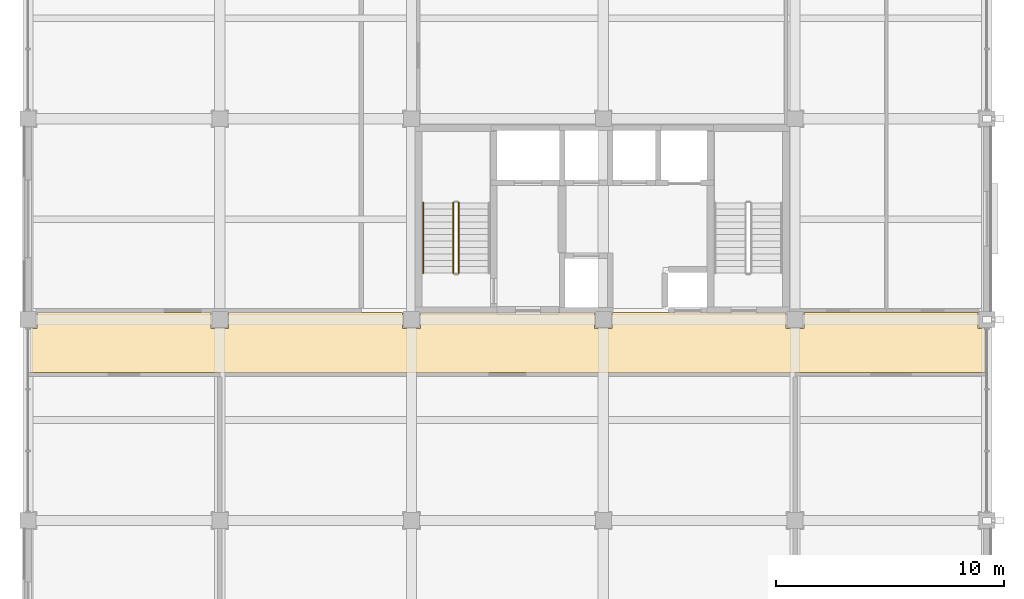
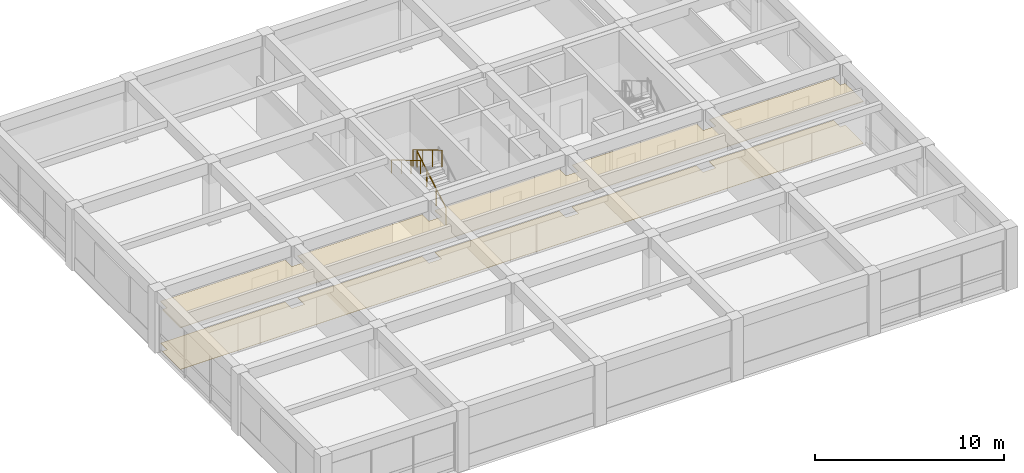
# One storey, part 12 of 14: 3 railings, 2 coverings.
"""IFC4 building model written with IfcOpenShell, lengths in metres."""

import ifcopenshell
import ifcopenshell.guid

model = None  # the IFC model being written
_history = None  # IfcOwnerHistory: only IFC2X3 demands one
_inside = {}  # id of a spatial element -> (the spatial element, [elements in it])
_under = {}  # id of a project, library or spatial element -> (it, [spatial elements below it])
_declared = {}  # id of a project -> (the project, [libraries it declares])
_typed = {}  # id of a type object -> (the type object, [elements of that type])
_made_of = {}  # id of a material, layer set ... -> (it, [elements and type objects made of it])


def new_model(schema):
    """Start an empty IFC model of exactly this schema.

    Asked for "IFC4X3", IfcOpenShell would pick the latest addendum, in which some entities
    have other attributes; the version numbers below select the first issue.
    IFC2X3 requires an IfcOwnerHistory on every rooted entity: one is made here for all.
    """
    global model, _history
    if schema == "IFC4X3":
        model = ifcopenshell.file(schema_version=(4, 3, 0, 0))
    else:
        model = ifcopenshell.file(schema=schema)
    _inside.clear()
    _under.clear()
    _declared.clear()
    _typed.clear()
    _made_of.clear()
    _history = None
    if model.schema == "IFC2X3":
        org = make("IfcOrganization", Name="unknown")
        user = make(
            "IfcPersonAndOrganization",
            ThePerson=make("IfcPerson", FamilyName="unknown"),
            TheOrganization=org,
        )
        app = make(
            "IfcApplication",
            ApplicationDeveloper=org,
            Version="unknown",
            ApplicationFullName="unknown",
            ApplicationIdentifier="unknown",
        )
        _history = make(
            "IfcOwnerHistory",
            OwningUser=user,
            OwningApplication=app,
            ChangeAction="ADDED",
            CreationDate=0,
        )
    return model


def make(cls, **values):
    """One entity of the class cls with the attributes given. An attribute that is None is left unset."""
    return model.create_entity(
        cls, **{name: value for name, value in values.items() if value is not None}
    )


def rooted(cls, **values):
    """An entity with a GlobalId (a new one), such as an element, a storey or a relation."""
    return make(cls, GlobalId=ifcopenshell.guid.new(), OwnerHistory=_history, **values)


def si_unit(unit_type, name, prefix=None):
    """IfcSIUnit, for example si_unit("LENGTHUNIT", "METRE", prefix="MILLI")."""
    return make("IfcSIUnit", UnitType=unit_type, Prefix=prefix, Name=name)


def assignment(units):
    """IfcUnitAssignment: the units of a project."""
    return None if units is None else make("IfcUnitAssignment", Units=units)


def point(xyz):
    """IfcCartesianPoint."""
    return None if xyz is None else make("IfcCartesianPoint", Coordinates=xyz)


def direction(xyz):
    """IfcDirection."""
    return None if xyz is None else make("IfcDirection", DirectionRatios=xyz)


def frame(location, z_axis=None, x_axis=None):
    """IfcAxis2Placement3D, a coordinate frame: its origin and axes. An axis left out is left unset."""
    return make(
        "IfcAxis2Placement3D",
        Location=point(location),
        Axis=direction(z_axis),
        RefDirection=direction(x_axis),
    )


def frame_2d(location, x_axis=None):
    """IfcAxis2Placement2D, a coordinate frame in the plane: its origin and x axis."""
    return make(
        "IfcAxis2Placement2D", Location=point(location), RefDirection=direction(x_axis)
    )


def origin():
    """The frame at (0, 0, 0) with its axes left unset."""
    return frame((0.0, 0.0, 0.0))


def origin_2d():
    """The frame at (0, 0) in the plane with its x axis left unset."""
    return frame_2d((0.0, 0.0))


def place(relative_to, where):
    """IfcLocalPlacement: puts the frame where relative to a parent placement (None: the world)."""
    return make(
        "IfcLocalPlacement", PlacementRelTo=relative_to, RelativePlacement=where
    )


def context(
    kind, dimensions, precision=None, world=None, true_north=None, identifier=None
):
    """IfcGeometricRepresentationContext, for example the 3D "Model" context."""
    return make(
        "IfcGeometricRepresentationContext",
        ContextIdentifier=identifier,
        ContextType=kind,
        CoordinateSpaceDimension=dimensions,
        Precision=precision,
        WorldCoordinateSystem=world,
        TrueNorth=true_north,
    )


def subcontext(parent, identifier, kind, view, scale=None):
    """IfcGeometricRepresentationSubContext, for example "Body" below "Model"."""
    return make(
        "IfcGeometricRepresentationSubContext",
        ContextIdentifier=identifier,
        ContextType=kind,
        ParentContext=parent,
        TargetScale=scale,
        TargetView=view,
    )


def project(units=None, contexts=None):
    """IfcProject with its units and contexts."""
    return rooted(
        "IfcProject",
        Name="project",
        RepresentationContexts=contexts,
        UnitsInContext=assignment(units),
    )


def spatial(cls, under=None, at=None, **own):
    """A site, building, storey or space (cls), placed at a placement, below another one or the project."""
    s = rooted(cls, ObjectPlacement=at, **own)
    if under is not None:
        _under.setdefault(under.id(), (under, []))[1].append(s)
    return s


def polyline(points):
    """IfcPolyline through the points."""
    return make("IfcPolyline", Points=[point(p) for p in points])


def profile(cls, at=None, kind="AREA", **sizes):
    """A parametric profile (cls). Its sizes go by their IFC names, for example OverallWidth=200.0."""
    return make(cls, ProfileType=kind, Position=at, **sizes)


def circle(**sizes):
    """IfcCircleProfileDef."""
    return profile("IfcCircleProfileDef", **sizes)


def outline(outer, holes=None, kind="AREA"):
    """IfcArbitraryClosedProfileDef: a profile drawn as a closed curve; with holes, ...WithVoids."""
    if holes is None:
        return make("IfcArbitraryClosedProfileDef", ProfileType=kind, OuterCurve=outer)
    return make(
        "IfcArbitraryProfileDefWithVoids",
        ProfileType=kind,
        OuterCurve=outer,
        InnerCurves=holes,
    )


def extrude(swept, where, along, depth):
    """IfcExtrudedAreaSolid: the profile swept, set in the frame where, extruded along a direction by depth."""
    return make(
        "IfcExtrudedAreaSolid",
        SweptArea=swept,
        Position=where,
        ExtrudedDirection=direction(along),
        Depth=depth,
    )


def shape(context_of_items, identifier, shape_type, items):
    """IfcShapeRepresentation: the items that make up one representation, for example the "Body"."""
    return make(
        "IfcShapeRepresentation",
        ContextOfItems=context_of_items,
        RepresentationIdentifier=identifier,
        RepresentationType=shape_type,
        Items=items,
    )


def material(Name=None, Category=None):
    """IfcMaterial."""
    return make("IfcMaterial", Name=Name, Category=Category)


def layer(
    of_material, thickness, ventilated=None, Name=None, Category=None, Priority=None
):
    """IfcMaterialLayer: one layer of a wall or slab, of a material (None: an air gap)."""
    return make(
        "IfcMaterialLayer",
        Material=of_material,
        LayerThickness=thickness,
        IsVentilated=ventilated,
        Name=Name,
        Category=Category,
        Priority=Priority,
    )


def layer_set(layers, Name=None):
    """IfcMaterialLayerSet."""
    return make("IfcMaterialLayerSet", MaterialLayers=layers, LayerSetName=Name)


def made_of(thing, what):
    """Note that an element or type object is made of a material, layer set ...; save() writes the relation."""
    if what is not None:
        _made_of.setdefault(what.id(), (what, []))[1].append(thing)
    return thing


def type_object(cls, material=None, **own):
    """A type object (cls), such as IfcWallType, which elements share."""
    return made_of(rooted(cls, **own), material)


def element(
    cls,
    number,
    at=None,
    inside=None,
    cuts=None,
    type_object=None,
    material=None,
    context=None,
    identifier="Body",
    shape_type=None,
    held_by="IfcProductDefinitionShape",
    body=None,
    shapes=None,
    **own,
):
    """One element of the class cls, such as IfcWall. Its Tag is "e" and its number.

    at: its placement. inside: the storey or other place that contains it. cuts: it is an
    opening in that element (IfcRelVoidsElement). A single representation is given by context,
    identifier, shape_type and body (its items); several are given by shapes. held_by: the class
    of the entity that holds the representations. save() writes the other relations.
    """
    e = rooted(cls, Tag="e%d" % number, ObjectPlacement=at, **own)
    if body is not None:
        shapes = [shape(context, identifier, shape_type, body)]
    if shapes is not None:
        e.Representation = make(held_by, Representations=shapes)
    if inside is not None:
        _inside.setdefault(inside.id(), (inside, []))[1].append(e)
    if cuts is not None:
        rooted(
            "IfcRelVoidsElement", RelatingBuildingElement=cuts, RelatedOpeningElement=e
        )
    if type_object is not None:
        _typed.setdefault(type_object.id(), (type_object, []))[1].append(e)
    return made_of(e, material)


def aggregate(whole, parts):
    """IfcRelAggregates: a whole, such as a stair, and the parts it consists of."""
    return rooted("IfcRelAggregates", RelatingObject=whole, RelatedObjects=parts)


def save(model, path):
    """Write the relations noted so far, then the file.

    IfcRelAggregates (storeys below a building ...), IfcRelContainedInSpatialStructure (elements
    in a storey), IfcRelDefinesByType, IfcRelAssociatesMaterial and IfcRelDeclares: one each for
    every whole, place, type object, material and project.
    """
    for whole, parts in _under.values():
        aggregate(whole, parts)
    for where, things in _inside.values():
        rooted(
            "IfcRelContainedInSpatialStructure",
            RelatedElements=things,
            RelatingStructure=where,
        )
    for kind, things in _typed.values():
        rooted("IfcRelDefinesByType", RelatedObjects=things, RelatingType=kind)
    for what, things in _made_of.values():
        rooted("IfcRelAssociatesMaterial", RelatedObjects=things, RelatingMaterial=what)
    for by, libraries in _declared.values():
        rooted("IfcRelDeclares", RelatingContext=by, RelatedDefinitions=libraries)
    model.write(path)


model = new_model("IFC4")

# Units and contexts
model_context = context("Model", 3, precision=1e-05, world=origin(), true_north=direction((0.0, 1.0)))
body_context = subcontext(model_context, "Body", "Model", "MODEL_VIEW")
ifc_project = project(units=[si_unit("LENGTHUNIT", "METRE"), si_unit("AREAUNIT", "SQUARE_METRE"), si_unit("VOLUMEUNIT", "CUBIC_METRE"), si_unit("PLANEANGLEUNIT", "RADIAN"), si_unit("MASSUNIT", "GRAM", prefix="KILO")], contexts=[model_context])

# Site, building, storey
site_placement = place(None, origin())
site = spatial("IfcSite", under=ifc_project, at=site_placement, CompositionType="ELEMENT")
building_placement = place(site_placement, origin())
building = spatial("IfcBuilding", under=site, at=building_placement, Name="Kemercrest Conservatory and Botanical Centre", CompositionType="ELEMENT")
storey_placement = place(building_placement, frame((0.0, 0.0, 32.800048828125)))
storey = spatial("IfcBuildingStorey", under=building, at=storey_placement, Name="L08", CompositionType="ELEMENT", Elevation=32.800048828125)

# Coverings
ifc_material_1 = material(Name="Perforated acoustic gypsum and mineral-fibre suspended ceiling", Category="gypsum")
ifc_layer_1 = layer(ifc_material_1, 0.034912109375)
ifc_layer_set_1 = layer_set([ifc_layer_1], Name="Perforated acoustic gypsum and mineral-fibre suspended ceiling")
covering_type_1 = type_object("IfcCoveringType", Name="CV-CLG035", PredefinedType="CEILING", material=ifc_layer_set_1)
covering_1_placement = place(storey_placement, frame((0.0, 0.0, 2.699951171875)))
element("IfcCovering", 1, at=covering_1_placement, inside=storey, type_object=covering_type_1, Name="Herbarium Corridor suspended acoustic ceiling", PredefinedType="CEILING", context=body_context, shape_type="SweptSolid", body=[
    extrude(outline(polyline([(134.080078125, 102.47998046875), (175.919921875, 102.47998046875), (175.919921875, 104.409912109375), (175.610107421875, 104.409912109375), (175.610107421875, 105.1201171875), (167.989990234375, 105.1201171875), (167.989990234375, 104.409912109375), (167.2099609375, 104.409912109375), (167.2099609375, 105.1201171875), (159.590087890625, 105.1201171875), (159.590087890625, 104.409912109375), (158.81005859375, 104.409912109375), (158.81005859375, 105.1201171875), (151.18994140625, 105.1201171875), (151.18994140625, 104.409912109375), (150.409912109375, 104.409912109375), (150.409912109375, 105.1201171875), (142.7900390625, 105.1201171875), (142.7900390625, 104.409912109375), (142.010009765625, 104.409912109375), (142.010009765625, 105.1201171875), (134.389892578125, 105.1201171875), (134.389892578125, 104.409912109375), (134.080078125, 104.409912109375), (134.080078125, 102.47998046875)])), origin(), (0.0, 0.0, 1.0), 0.034912109375),
])
ifc_material_2 = material(Name="Polished limestone terrazzo and seamless laboratory epoxy flooring", Category="masonry")
ifc_layer_2 = layer(ifc_material_2, 0.02001953125)
ifc_layer_set_2 = layer_set([ifc_layer_2], Name="Polished limestone terrazzo and seamless laboratory epoxy flooring")
covering_type_2 = type_object("IfcCoveringType", Name="CV-FLR020", PredefinedType="FLOORING", material=ifc_layer_set_2)
covering_2_placement = place(storey_placement, origin())
element("IfcCovering", 2, at=covering_2_placement, inside=storey, type_object=covering_type_2, Name="Herbarium Corridor floor finish", PredefinedType="FLOORING", context=body_context, shape_type="SweptSolid", body=[
    extrude(outline(polyline([(134.080078125, 102.47998046875), (175.919921875, 102.47998046875), (175.919921875, 104.409912109375), (175.610107421875, 104.409912109375), (175.610107421875, 105.1201171875), (167.989990234375, 105.1201171875), (167.989990234375, 104.409912109375), (167.2099609375, 104.409912109375), (167.2099609375, 105.1201171875), (159.590087890625, 105.1201171875), (159.590087890625, 104.409912109375), (158.81005859375, 104.409912109375), (158.81005859375, 105.1201171875), (151.18994140625, 105.1201171875), (151.18994140625, 104.409912109375), (150.409912109375, 104.409912109375), (150.409912109375, 105.1201171875), (142.7900390625, 105.1201171875), (142.7900390625, 104.409912109375), (142.010009765625, 104.409912109375), (142.010009765625, 105.1201171875), (134.389892578125, 105.1201171875), (134.389892578125, 104.409912109375), (134.080078125, 104.409912109375), (134.080078125, 102.47998046875)])), origin(), (0.0, 0.0, 1.0), 0.02001953125),
])

# Railings
ifc_material_3 = material(Name="Painted galvanized steel tubular stair guardrail", Category="steel")
railing_type_1 = type_object("IfcRailingType", Name="GR-STR110", PredefinedType="GUARDRAIL", material=ifc_material_3)
railing_1_placement = place(storey_placement, frame((152.8701171875, 106.840087890625, 0.16650390625)))
element("IfcRailing", 3, at=railing_1_placement, inside=storey, type_object=railing_type_1, Name="L08 ST-V4A stair guard 1", PredefinedType="GUARDRAIL", context=body_context, shape_type="SweptSolid", body=[
    extrude(circle(Radius=0.02392578125, at=origin_2d()), frame((0.0, 0.0, 1.076171875), z_axis=(0.0, 0.859260807169, 0.511537745687), x_axis=(-1.0, 0.0, 0.0)), (0.0, 0.0, 1.0), 3.584228515625),
    extrude(circle(Radius=0.02099609375, at=origin_2d()), origin(), (0.0, 0.0, 1.0), 1.052001953125),
    extrude(circle(Radius=0.02099609375, at=origin_2d()), frame((0.0, 1.026611328125, 0.611083984375)), (0.0, 0.0, 1.0), 1.052001953125),
    extrude(circle(Radius=0.02099609375, at=origin_2d()), frame((0.0, 2.05322265625, 1.222412109375)), (0.0, 0.0, 1.0), 1.052001953125),
    extrude(circle(Radius=0.02099609375, at=origin_2d()), frame((0.0, 3.079833984375, 1.83349609375)), (0.0, 0.0, 1.0), 1.052001953125),
])
railing_2_placement = place(storey_placement, frame((152.6298828125, 109.919921875, 2.16650390625)))
element("IfcRailing", 4, at=railing_2_placement, inside=storey, type_object=railing_type_1, Name="L08 ST-V4A stair guard 3", PredefinedType="GUARDRAIL", context=body_context, shape_type="SweptSolid", body=[
    extrude(circle(Radius=0.02392578125, at=origin_2d()), frame((0.0, 0.0, 1.076171875), z_axis=(0.0, -0.859260807169, 0.511537745687), x_axis=(1.0, 0.0, 0.0)), (0.0, 0.0, 1.0), 3.584228515625),
    extrude(circle(Radius=0.02099609375, at=origin_2d()), origin(), (0.0, 0.0, 1.0), 1.052001953125),
    extrude(circle(Radius=0.02099609375, at=origin_2d()), frame((0.0, -1.026611328125, 0.611083984375)), (0.0, 0.0, 1.0), 1.052001953125),
    extrude(circle(Radius=0.02099609375, at=origin_2d()), frame((0.0, -2.05322265625, 1.222412109375)), (0.0, 0.0, 1.0), 1.052001953125),
    extrude(circle(Radius=0.02099609375, at=origin_2d()), frame((0.0, -3.079833984375, 1.83349609375)), (0.0, 0.0, 1.0), 1.052001953125),
])
ifc_material_4 = material(Name="Brushed stainless steel wall-mounted handrail", Category="steel")
railing_type_2 = type_object("IfcRailingType", Name="HR-STR090", PredefinedType="HANDRAIL", material=ifc_material_4)
railing_3_placement = place(storey_placement, frame((151.31005859375, 109.919921875, 2.16650390625)))
element("IfcRailing", 5, at=railing_3_placement, inside=storey, type_object=railing_type_2, Name="L08 ST-V4A stair handrail 2", PredefinedType="HANDRAIL", context=body_context, shape_type="SweptSolid", body=[
    extrude(circle(Radius=0.02392578125, at=origin_2d()), frame((0.0, 0.0, 0.8759765625), z_axis=(0.0, -0.859260807169, 0.511537745687), x_axis=(1.0, 0.0, 0.0)), (0.0, 0.0, 1.0), 3.584228515625),
    extrude(circle(Radius=0.02099609375, at=origin_2d()), origin(), (0.0, 0.0, 1.0), 0.851806640625),
    extrude(circle(Radius=0.02099609375, at=origin_2d()), frame((0.0, -1.026611328125, 0.611083984375)), (0.0, 0.0, 1.0), 0.851806640625),
    extrude(circle(Radius=0.02099609375, at=origin_2d()), frame((0.0, -2.05322265625, 1.222412109375)), (0.0, 0.0, 1.0), 0.851806640625),
    extrude(circle(Radius=0.02099609375, at=origin_2d()), frame((0.0, -3.079833984375, 1.83349609375)), (0.0, 0.0, 1.0), 0.851806640625),
])

save(model, "model.ifc")
